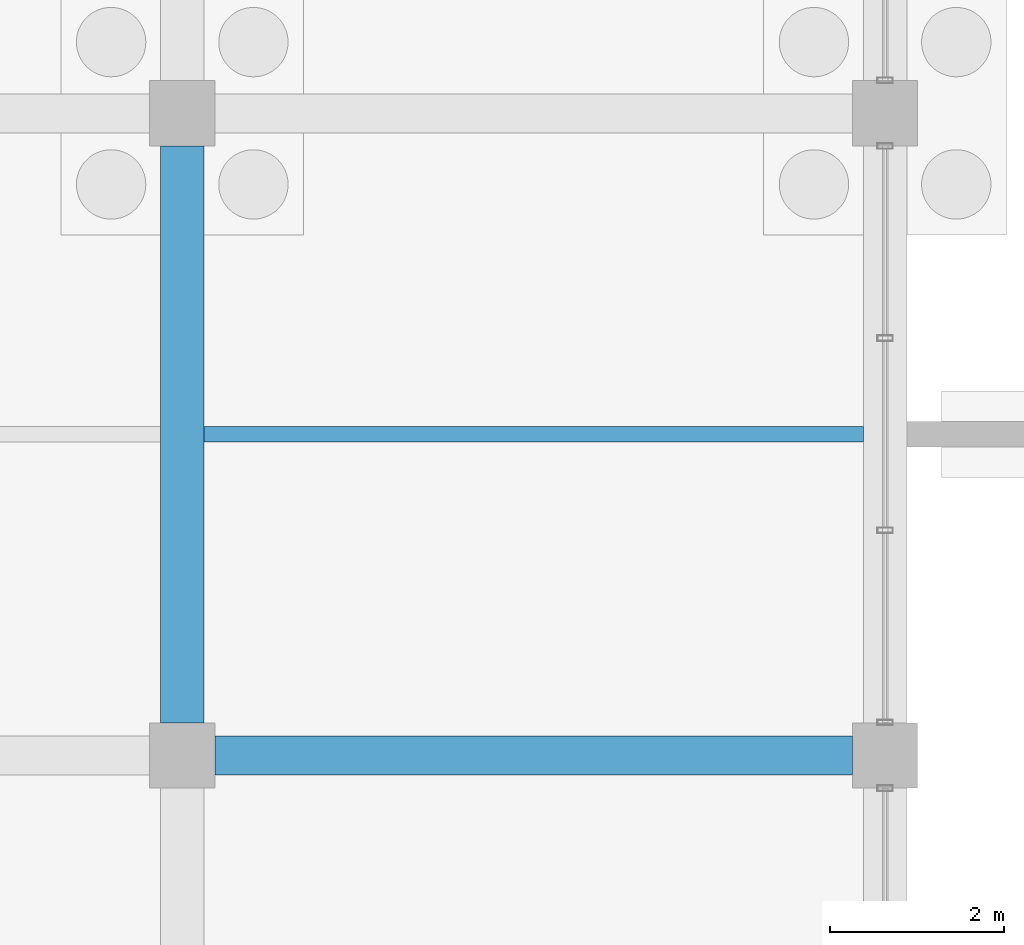
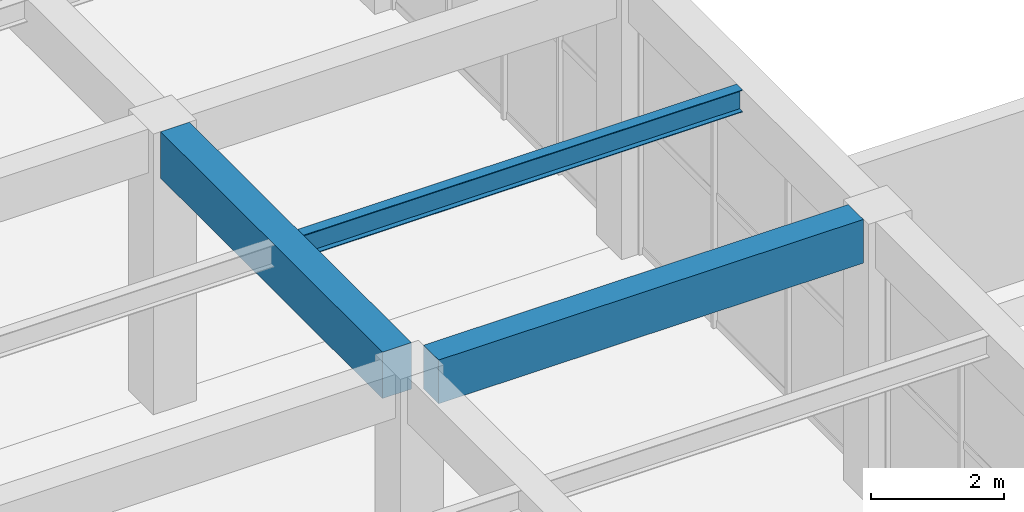
# One storey, part 60 of 140: 3 beams.
"""IFC4 building model written with IfcOpenShell, lengths in metres."""

from ifc_helpers import new_model, si_unit, direction, frame, origin, origin_2d, place, context, subcontext, project, spatial, rectangle, i_section, extrude, material, material_profile, profile_set, type_object, element, save


model = new_model("IFC4")

# Units and contexts
model_context = context("Model", 3, precision=1e-05, world=origin(), true_north=direction((0.0, 1.0)))
body_context = subcontext(model_context, "Body", "Model", "MODEL_VIEW")
ifc_project = project(units=[si_unit("LENGTHUNIT", "METRE"), si_unit("AREAUNIT", "SQUARE_METRE"), si_unit("VOLUMEUNIT", "CUBIC_METRE"), si_unit("PLANEANGLEUNIT", "RADIAN"), si_unit("MASSUNIT", "GRAM", prefix="KILO")], contexts=[model_context])

# Site, building, storey
site_placement = place(None, origin())
site = spatial("IfcSite", under=ifc_project, at=site_placement, CompositionType="ELEMENT")
building_placement = place(site_placement, origin())
building = spatial("IfcBuilding", under=site, at=building_placement, Name="Cimatlan Art Gallery", CompositionType="ELEMENT")
storey_placement = place(building_placement, origin())
storey = spatial("IfcBuildingStorey", under=building, at=storey_placement, Name="L00", CompositionType="ELEMENT", Elevation=0.0)

# Beams
ifc_material_1 = material(Name="Concrete C40/50", Category="concrete")
ifc_material_profile_1 = material_profile(ifc_material_1, rectangle(XDim=0.449951171875, YDim=0.800048828125, at=origin_2d()), Name="RC450X800")
ifc_profile_set_1 = profile_set([ifc_material_profile_1], Name="Concrete C40/50")
beam_type_1 = type_object("IfcBeamType", Name="BM-RC-450X800", PredefinedType="BEAM", material=ifc_profile_set_1)
beam_1_placement = place(storey_placement, frame((42.875, 68.300048828125, 4.735107421875), z_axis=(1.0, 0.0, 0.0), x_axis=(0.0, 1.0, 0.0)))
element("IfcBeam", 1, at=beam_1_placement, inside=storey, type_object=beam_type_1, Name="BM-X-L00-05-09", PredefinedType="BEAM", context=body_context, shape_type="SweptSolid", body=[
    extrude(rectangle(XDim=0.449951171875, YDim=0.800048828125, at=origin_2d()), origin(), (0.0, 0.0, 1.0), 7.35009765625),
])
ifc_material_profile_2 = material_profile(ifc_material_1, rectangle(XDim=0.5, YDim=0.85009765625, at=origin_2d()), Name="RC500X850")
ifc_profile_set_2 = profile_set([ifc_material_profile_2], Name="Concrete C40/50")
beam_type_2 = type_object("IfcBeamType", Name="BM-RC-500X850", PredefinedType="BEAM", material=ifc_profile_set_2)
beam_2_placement = place(storey_placement, frame((42.5, 68.675048828125, 4.7099609375), z_axis=(0.0, 1.0, 0.0), x_axis=(-1.0, 0.0, 0.0)))
element("IfcBeam", 2, at=beam_2_placement, inside=storey, type_object=beam_type_2, Name="BM-Y-L00-05-09", PredefinedType="BEAM", context=body_context, shape_type="SweptSolid", body=[
    extrude(rectangle(XDim=0.5, YDim=0.85009765625, at=origin_2d()), origin(), (0.0, 0.0, 1.0), 6.64990234375),
])
ifc_material_2 = material(Name="Steel ASTM A992 Grade 50", Category="steel")
ifc_material_profile_3 = material_profile(ifc_material_2, i_section(OverallWidth=0.177978515625, OverallDepth=0.406982421875, WebThickness=0.0078125, FlangeThickness=0.0126953125, at=origin_2d()), Name="W16X40")
ifc_profile_set_3 = profile_set([ifc_material_profile_3], Name="Steel ASTM A992 Grade 50")
beam_type_3 = type_object("IfcBeamType", Name="BM-STL-W16X40", PredefinedType="JOIST", material=ifc_profile_set_3)
beam_3_placement = place(storey_placement, frame((42.75, 72.0, 4.931396484375), z_axis=(1.0, 0.0, 0.0), x_axis=(0.0, 1.0, 0.0)))
element("IfcBeam", 3, at=beam_3_placement, inside=storey, type_object=beam_type_3, Name="JST-L00-05-09", PredefinedType="JOIST", context=body_context, shape_type="SweptSolid", body=[
    extrude(i_section(OverallWidth=0.177978515625, OverallDepth=0.406982421875, WebThickness=0.0078125, FlangeThickness=0.0126953125, at=origin_2d()), origin(), (0.0, 0.0, 1.0), 7.60009765625),
])

save(model, "model.ifc")
